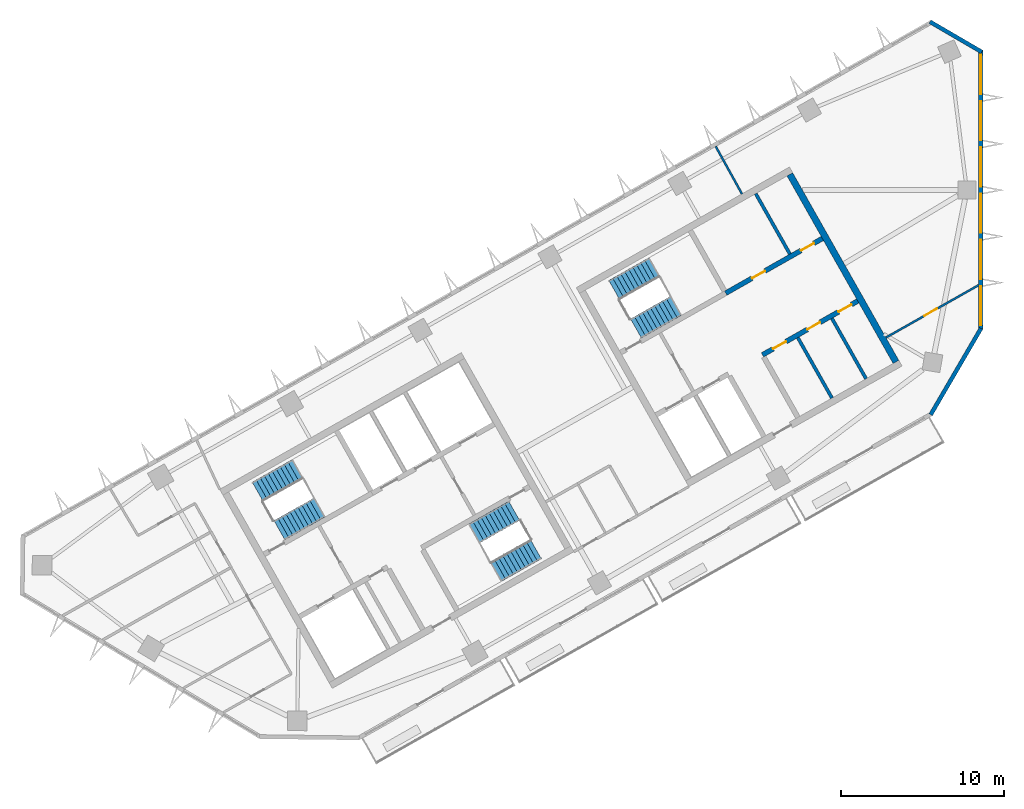
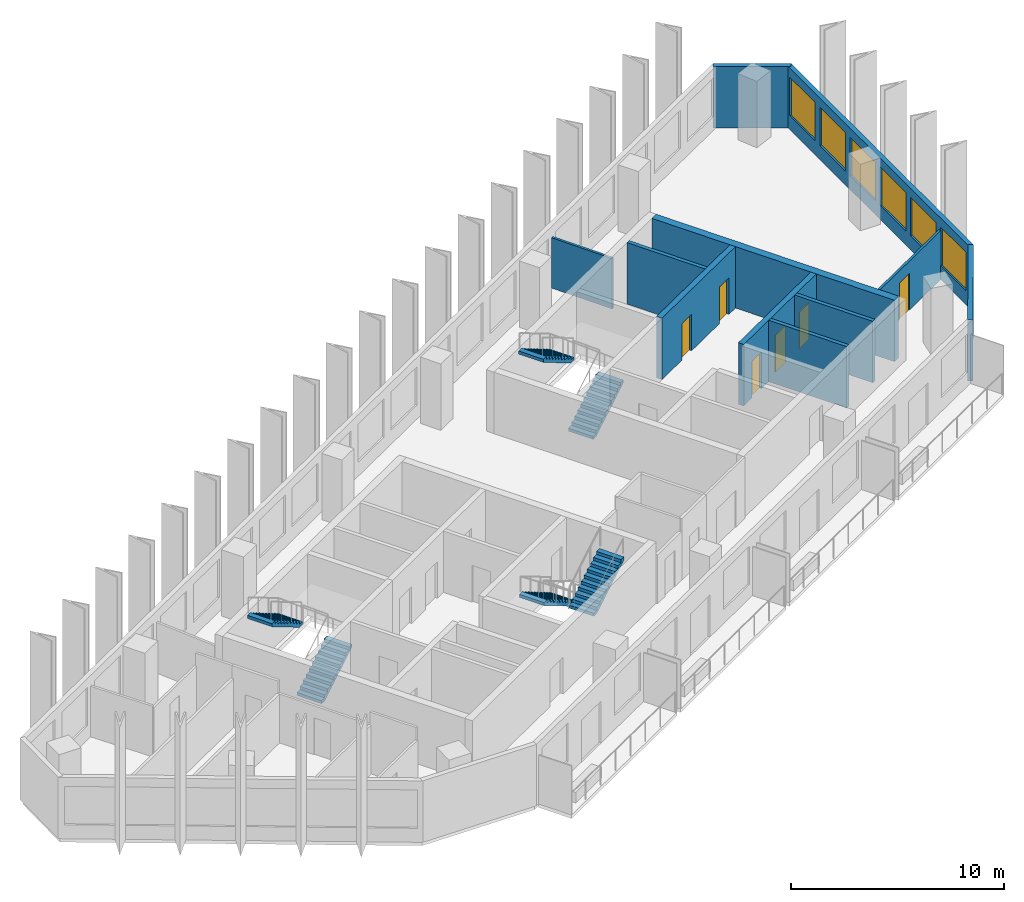
# One storey, part 5 of 8: 11 walls, 6 doors, 6 stair flights, 6 windows, 12 openings, 3 elements without a shape of their own.
"""IFC4 building model written with IfcOpenShell, lengths in metres."""

from ifc_helpers import new_model, si_unit, direction, frame, frame_2d, origin, place, context, subcontext, project, spatial, polyline, rectangle, outline, extrude, material, layer, layer_set, type_object, element, fill, aggregate, save


model = new_model("IFC4")

# Units and contexts
model_context = context("Model", 3, precision=1e-05, world=origin(), true_north=direction((0.0, 1.0)))
body_context = subcontext(model_context, "Body", "Model", "MODEL_VIEW")
ifc_project = project(units=[si_unit("LENGTHUNIT", "METRE"), si_unit("AREAUNIT", "SQUARE_METRE"), si_unit("VOLUMEUNIT", "CUBIC_METRE"), si_unit("PLANEANGLEUNIT", "RADIAN"), si_unit("MASSUNIT", "GRAM", prefix="KILO")], contexts=[model_context])

# Site, building, storey
site_placement = place(None, origin())
site = spatial("IfcSite", under=ifc_project, at=site_placement, CompositionType="ELEMENT")
building_placement = place(site_placement, origin())
building = spatial("IfcBuilding", under=site, at=building_placement, Name="Binnacle Exchange Tower", CompositionType="ELEMENT")
storey_placement = place(building_placement, frame((0.0, 0.0, 293.10009765625)))
storey = spatial("IfcBuildingStorey", under=building, at=storey_placement, Name="L65", CompositionType="ELEMENT", Elevation=293.10009765625)

# Walls
ifc_material_1 = material(Name="Gypsum partition fire rated")
ifc_layer_1 = layer(ifc_material_1, 0.199951171875)
ifc_layer_set_1 = layer_set([ifc_layer_1], Name="Core partition 200")
wall_type_1 = type_object("IfcWallType", Name="Core partition 200", PredefinedType="PARTITIONING", material=ifc_layer_set_1)
wall_1_placement = place(storey_placement, frame((-11.201904296875, 50.96240234375, 0.0), z_axis=(0.0, 0.0, 1.0), x_axis=(0.492441437811, -0.870345580977, 0.0)))
element("IfcWall", 1, at=wall_1_placement, inside=storey, type_object=wall_type_1, Name="Core wall CRWC19", PredefinedType="PARTITIONING", context=body_context, shape_type="SweptSolid", body=[
    extrude(rectangle(XDim=4.250244140625, YDim=0.199951171875, at=frame_2d((2.125, 0.0))), origin(), (0.0, 0.0, 1.0), 3.52001953125),
])
for number, where, z_axis, x_axis, name in (
    (2, (-13.78125, 59.785888671875, 0.0), (0.0, 0.0, 1.0), (0.492422543467, -0.870356271124, 0.0), "Core wall CRWC20"),
    (3, (-9.11279296875, 52.14404296875, 0.0), (0.0, 0.0, 1.0), (0.492422543467, -0.870356271124, 0.0), "Core wall CRWC22"),
):
    element("IfcWall", number, at=place(storey_placement, frame(where, z_axis=z_axis, x_axis=x_axis)), inside=storey, type_object=wall_type_1, Name=name, PredefinedType="PARTITIONING", context=body_context, shape_type="SweptSolid", body=[
        extrude(rectangle(XDim=4.25, YDim=0.199951171875, at=frame_2d((2.125, 0.0))), origin(), (0.0, 0.0, 1.0), 3.52001953125),
    ])

# Wall, openings, doors
ifc_material_2 = material(Name="Concrete C70/85", Category="concrete")
ifc_layer_2 = layer(ifc_material_2, 0.300048828125)
ifc_layer_set_2 = layer_set([ifc_layer_2], Name="Core wall - front 300")
wall_type_2 = type_object("IfcWallType", Name="Core wall - front 300", PredefinedType="SOLIDWALL", material=ifc_layer_set_2)
wall_2_placement = place(storey_placement, frame((-13.364501953125, 49.910888671875, 0.0), z_axis=(0.0, 0.0, 1.0), x_axis=(0.870347618718, 0.492437836272, 0.0)))
wall_2 = element("IfcWall", 4, at=wall_2_placement, inside=storey, type_object=wall_type_2, Name="Core wall CRWC3", PredefinedType="SOLIDWALL", context=body_context, shape_type="SweptSolid", body=[
    extrude(rectangle(XDim=6.699951171875, YDim=0.300048828125, at=frame_2d((3.35009765625, 0.0))), origin(), (0.0, 0.0, 1.0), 3.52001953125),
])
opening_1_placement = place(wall_2_placement, frame((0.75, 0.0, 0.0)))
opening_1 = element("IfcOpeningElement", 5, at=opening_1_placement, cuts=wall_2, Name="Opening DC18", PredefinedType="OPENING", context=body_context, shape_type="SweptSolid", body=[
    extrude(rectangle(XDim=0.89990234375, YDim=2.10009765625, at=frame_2d((0.449951171875, 1.050048828125))), frame((0.0, 0.159912109375, 0.0), z_axis=(0.0, -1.0, 0.0), x_axis=(1.0, 0.0, 0.0)), (0.0, 0.0, 1.0), 0.320068359375),
])
opening_2_placement = place(wall_2_placement, frame((3.14990234375, 0.0, 0.0)))
opening_2 = element("IfcOpeningElement", 6, at=opening_2_placement, cuts=wall_2, Name="Opening DC19", PredefinedType="OPENING", context=body_context, shape_type="SweptSolid", body=[
    extrude(rectangle(XDim=0.89990234375, YDim=2.10009765625, at=frame_2d((0.449951171875, 1.050048828125))), frame((0.0, 0.159912109375, 0.0), z_axis=(0.0, -1.0, 0.0), x_axis=(1.0, 0.0, 0.0)), (0.0, 0.0, 1.0), 0.320068359375),
])
opening_3_placement = place(wall_2_placement, frame((5.35009765625, 0.0, 0.0)))
opening_3 = element("IfcOpeningElement", 7, at=opening_3_placement, cuts=wall_2, Name="Opening DC20", PredefinedType="OPENING", context=body_context, shape_type="SweptSolid", body=[
    extrude(rectangle(XDim=0.89990234375, YDim=2.10009765625, at=frame_2d((0.449951171875, 1.050048828125))), frame((0.0, 0.159912109375, 0.0), z_axis=(0.0, -1.0, 0.0), x_axis=(1.0, 0.0, 0.0)), (0.0, 0.0, 1.0), 0.320068359375),
])
ifc_material_3 = material(Name="Steel door leaf", Category="steel")
door_type_1 = type_object("IfcDoorType", Name="Fire door 900", OperationType="NOTDEFINED", PredefinedType="DOOR", material=ifc_material_3)
door_1_placement = place(opening_1_placement, frame((0.89990234375, 0.0, 0.0), z_axis=(0.0, 0.0, 1.0), x_axis=(-1.0, 0.0, 0.0)))
door_1 = element("IfcDoor", 8, at=door_1_placement, inside=storey, type_object=door_type_1, Name="Core room door COMMS RISER ROOM", OperationType="SINGLE_SWING_RIGHT", OverallHeight=2.10009765625, OverallWidth=0.89990234375, PredefinedType="DOOR", context=body_context, shape_type="SweptSolid", body=[
    extrude(rectangle(XDim=0.89990234375, YDim=2.10009765625, at=frame_2d((0.449951171875, 1.050048828125))), frame((0.0, 0.02490234375, 0.0), z_axis=(0.0, -1.0, 0.0), x_axis=(1.0, 0.0, 0.0)), (0.0, 0.0, 1.0), 0.050048828125),
])
fill(opening_1, door_1)
door_2_placement = place(opening_2_placement, frame((0.89990234375, 0.0, 0.0), z_axis=(0.0, 0.0, 1.0), x_axis=(-1.0, 0.0, 0.0)))
door_2 = element("IfcDoor", 9, at=door_2_placement, inside=storey, type_object=door_type_1, Name="Core room door CLEANERS STORE", OperationType="SINGLE_SWING_LEFT", OverallHeight=2.10009765625, OverallWidth=0.89990234375, PredefinedType="DOOR", context=body_context, shape_type="SweptSolid", body=[
    extrude(rectangle(XDim=0.89990234375, YDim=2.10009765625, at=frame_2d((0.449951171875, 1.050048828125))), frame((0.0, 0.02490234375, 0.0), z_axis=(0.0, -1.0, 0.0), x_axis=(1.0, 0.0, 0.0)), (0.0, 0.0, 1.0), 0.050048828125),
])
fill(opening_2, door_2)
door_3_placement = place(opening_3_placement, frame((0.89990234375, 0.0, 0.0), z_axis=(0.0, 0.0, 1.0), x_axis=(-1.0, 0.0, 0.0)))
door_3 = element("IfcDoor", 10, at=door_3_placement, inside=storey, type_object=door_type_1, Name="Core room door IT STORE", OperationType="SINGLE_SWING_LEFT", OverallHeight=2.10009765625, OverallWidth=0.89990234375, PredefinedType="DOOR", context=body_context, shape_type="SweptSolid", body=[
    extrude(rectangle(XDim=0.89990234375, YDim=2.10009765625, at=frame_2d((0.449951171875, 1.050048828125))), frame((0.0, 0.02490234375, 0.0), z_axis=(0.0, -1.0, 0.0), x_axis=(1.0, 0.0, 0.0)), (0.0, 0.0, 1.0), 0.050048828125),
])
fill(opening_3, door_3)

wall_3_placement = place(storey_placement, frame((-15.6181640625, 53.69140625, 0.0), z_axis=(0.0, 0.0, 1.0), x_axis=(0.870362830851, 0.492410948978, 0.0)))
wall_3 = element("IfcWall", 11, at=wall_3_placement, inside=storey, type_object=wall_type_2, Name="Core wall CRWC5", PredefinedType="SOLIDWALL", context=body_context, shape_type="SweptSolid", body=[
    extrude(rectangle(XDim=6.800048828125, YDim=0.300048828125, at=frame_2d((3.39990234375, 0.0))), origin(), (0.0, 0.0, 1.0), 3.52001953125),
])
opening_4_placement = place(wall_3_placement, frame((1.85009765625, 0.0, 0.0)))
opening_4 = element("IfcOpeningElement", 12, at=opening_4_placement, cuts=wall_3, Name="Opening DC10", PredefinedType="OPENING", context=body_context, shape_type="SweptSolid", body=[
    extrude(rectangle(XDim=0.89990234375, YDim=2.10009765625, at=frame_2d((0.449951171875, 1.050048828125))), frame((0.0, 0.159912109375, 0.0), z_axis=(0.0, -1.0, 0.0), x_axis=(1.0, 0.0, 0.0)), (0.0, 0.0, 1.0), 0.320068359375),
])
opening_5_placement = place(wall_3_placement, frame((5.300048828125, 0.0, 0.0)))
opening_5 = element("IfcOpeningElement", 13, at=opening_5_placement, cuts=wall_3, Name="Opening DC11", PredefinedType="OPENING", context=body_context, shape_type="SweptSolid", body=[
    extrude(rectangle(XDim=0.89990234375, YDim=2.10009765625, at=frame_2d((0.449951171875, 1.050048828125))), frame((0.0, 0.159912109375, 0.0), z_axis=(0.0, -1.0, 0.0), x_axis=(1.0, 0.0, 0.0)), (0.0, 0.0, 1.0), 0.320068359375),
])
door_4_placement = place(opening_4_placement, origin())
door_4 = element("IfcDoor", 14, at=door_4_placement, inside=storey, type_object=door_type_1, Name="Core room door EQUIPMENT STORE", OperationType="SINGLE_SWING_LEFT", OverallHeight=2.10009765625, OverallWidth=0.89990234375, PredefinedType="DOOR", context=body_context, shape_type="SweptSolid", body=[
    extrude(rectangle(XDim=0.89990234375, YDim=2.10009765625, at=frame_2d((0.449951171875, 1.050048828125))), frame((0.0, 0.02490234375, 0.0), z_axis=(0.0, -1.0, 0.0), x_axis=(1.0, 0.0, 0.0)), (0.0, 0.0, 1.0), 0.050048828125),
])
fill(opening_4, door_4)
door_5_placement = place(opening_5_placement, origin())
door_5 = element("IfcDoor", 15, at=door_5_placement, inside=storey, type_object=door_type_1, Name="Core room door ELECTRICAL ROOM", OperationType="SINGLE_SWING_RIGHT", OverallHeight=2.10009765625, OverallWidth=0.89990234375, PredefinedType="DOOR", context=body_context, shape_type="SweptSolid", body=[
    extrude(rectangle(XDim=0.89990234375, YDim=2.10009765625, at=frame_2d((0.449951171875, 1.050048828125))), frame((0.0, 0.02490234375, 0.0), z_axis=(0.0, -1.0, 0.0), x_axis=(1.0, 0.0, 0.0)), (0.0, 0.0, 1.0), 0.050048828125),
])
fill(opening_5, door_5)

# Walls
ifc_layer_3 = layer(ifc_material_2, 0.39990234375)
ifc_layer_set_3 = layer_set([ifc_layer_3], Name="Core wall - outer 400")
wall_type_3 = type_object("IfcWallType", Name="Core wall - outer 400", PredefinedType="SOLIDWALL", material=ifc_layer_set_3)
wall_4_placement = place(storey_placement, frame((-11.6923828125, 60.968017578125, 0.0), z_axis=(0.0, 0.0, 1.0), x_axis=(0.492421663121, -0.870356769198, 0.0)))
element("IfcWall", 16, at=wall_4_placement, inside=storey, type_object=wall_type_3, Name="Core wall CRWC24", PredefinedType="SOLIDWALL", context=body_context, shape_type="SweptSolid", body=[
    extrude(rectangle(XDim=13.199951171875, YDim=0.39990234375, at=frame_2d((6.60009765625, 0.0))), origin(), (0.0, 0.0, 1.0), 3.52001953125),
])
ifc_material_4 = material(Name="Bronze aluminium cladding", Category="aluminium")
ifc_layer_4 = layer(ifc_material_4, 0.25)
ifc_layer_set_4 = layer_set([ifc_layer_4], Name="External wall - window wall 250")
wall_type_4 = type_object("IfcWallType", Name="External wall - window wall 250", PredefinedType="STANDARD", material=ifc_layer_set_4)
wall_5_placement = place(storey_placement, frame((0.01708984375, 51.529296875, 0.0), z_axis=(0.0, 0.0, 1.0), x_axis=(-0.503769237131, -0.863838269424, 0.0)))
element("IfcWall", 17, at=wall_5_placement, inside=storey, type_object=wall_type_4, Name="External wall EW-H00 L65", PredefinedType="STANDARD", context=body_context, shape_type="SweptSolid", body=[
    extrude(rectangle(XDim=6.114501953125, YDim=0.25, at=frame_2d((3.05712890625, 0.0))), origin(), (0.0, 0.0, 1.0), 3.52001953125),
])

# Wall, openings, windows
wall_6_placement = place(storey_placement, frame((0.0, 68.57177734375, 0.0), z_axis=(0.0, 0.0, 1.0), x_axis=(0.0, -1.0, 0.0)))
wall_6 = element("IfcWall", 18, at=wall_6_placement, inside=storey, type_object=wall_type_4, Name="External wall EW-H01 L65", PredefinedType="STANDARD", context=body_context, shape_type="SweptSolid", body=[
    extrude(rectangle(XDim=17.10546875, YDim=0.25, at=frame_2d((8.552734375, 0.0))), origin(), (0.0, 0.0, 1.0), 3.52001953125),
])
opening_6_placement = place(wall_6_placement, frame((14.455078125, 0.0, 0.800048828125)))
opening_6 = element("IfcOpeningElement", 19, at=opening_6_placement, cuts=wall_6, Name="Opening WR2", PredefinedType="OPENING", context=body_context, shape_type="SweptSolid", body=[
    extrude(rectangle(XDim=2.39990234375, YDim=2.199951171875, at=frame_2d((1.199951171875, 1.10009765625))), frame((0.0, 0.135009765625, 0.0), z_axis=(0.0, -1.0, 0.0), x_axis=(1.0, 0.0, 0.0)), (0.0, 0.0, 1.0), 0.27001953125),
])
opening_7_placement = place(wall_6_placement, frame((11.621826171875, 0.0, 0.800048828125)))
opening_7 = element("IfcOpeningElement", 20, at=opening_7_placement, cuts=wall_6, Name="Opening WR2", PredefinedType="OPENING", context=body_context, shape_type="SweptSolid", body=[
    extrude(rectangle(XDim=2.39990234375, YDim=2.199951171875, at=frame_2d((1.199951171875, 1.10009765625))), frame((0.0, 0.135009765625, 0.0), z_axis=(0.0, -1.0, 0.0), x_axis=(1.0, 0.0, 0.0)), (0.0, 0.0, 1.0), 0.27001953125),
])
opening_8_placement = place(wall_6_placement, frame((8.78857421875, 0.0, 0.800048828125)))
opening_8 = element("IfcOpeningElement", 21, at=opening_8_placement, cuts=wall_6, Name="Opening WR2", PredefinedType="OPENING", context=body_context, shape_type="SweptSolid", body=[
    extrude(rectangle(XDim=2.39990234375, YDim=2.199951171875, at=frame_2d((1.199951171875, 1.10009765625))), frame((0.0, 0.135009765625, 0.0), z_axis=(0.0, -1.0, 0.0), x_axis=(1.0, 0.0, 0.0)), (0.0, 0.0, 1.0), 0.27001953125),
])
opening_9_placement = place(wall_6_placement, frame((5.955078125, 0.0, 0.800048828125)))
opening_9 = element("IfcOpeningElement", 22, at=opening_9_placement, cuts=wall_6, Name="Opening WR2", PredefinedType="OPENING", context=body_context, shape_type="SweptSolid", body=[
    extrude(rectangle(XDim=2.39990234375, YDim=2.199951171875, at=frame_2d((1.199951171875, 1.10009765625))), frame((0.0, 0.135009765625, 0.0), z_axis=(0.0, -1.0, 0.0), x_axis=(1.0, 0.0, 0.0)), (0.0, 0.0, 1.0), 0.27001953125),
])
opening_10_placement = place(wall_6_placement, frame((3.121826171875, 0.0, 0.800048828125)))
opening_10 = element("IfcOpeningElement", 23, at=opening_10_placement, cuts=wall_6, Name="Opening WR2", PredefinedType="OPENING", context=body_context, shape_type="SweptSolid", body=[
    extrude(rectangle(XDim=2.39990234375, YDim=2.199951171875, at=frame_2d((1.199951171875, 1.10009765625))), frame((0.0, 0.135009765625, 0.0), z_axis=(0.0, -1.0, 0.0), x_axis=(1.0, 0.0, 0.0)), (0.0, 0.0, 1.0), 0.27001953125),
])
opening_11_placement = place(wall_6_placement, frame((0.28857421875, 0.0, 0.800048828125)))
opening_11 = element("IfcOpeningElement", 24, at=opening_11_placement, cuts=wall_6, Name="Opening WR2", PredefinedType="OPENING", context=body_context, shape_type="SweptSolid", body=[
    extrude(rectangle(XDim=2.39990234375, YDim=2.199951171875, at=frame_2d((1.199951171875, 1.10009765625))), frame((0.0, 0.135009765625, 0.0), z_axis=(0.0, -1.0, 0.0), x_axis=(1.0, 0.0, 0.0)), (0.0, 0.0, 1.0), 0.27001953125),
])
ifc_material_5 = material(Name="Bronze anodised aluminium frame", Category="aluminium")
window_type = type_object("IfcWindowType", Name="WR2 WINDOW 2400x2200", PartitioningType="SINGLE_PANEL", PredefinedType="WINDOW", material=ifc_material_5)
window_1_placement = place(opening_6_placement, origin())
window_1 = element("IfcWindow", 25, at=window_1_placement, inside=storey, type_object=window_type, Name="Window WR2 L65", OverallHeight=2.199951171875, OverallWidth=2.39990234375, PartitioningType="SINGLE_PANEL", PredefinedType="WINDOW", context=body_context, shape_type="SweptSolid", body=[
    extrude(rectangle(XDim=2.39990234375, YDim=2.199951171875, at=frame_2d((1.199951171875, 1.10009765625))), frame((0.0, 0.030029296875, 0.0), z_axis=(0.0, -1.0, 0.0), x_axis=(1.0, 0.0, 0.0)), (0.0, 0.0, 1.0), 0.06005859375),
])
fill(opening_6, window_1)
window_2_placement = place(opening_7_placement, origin())
window_2 = element("IfcWindow", 26, at=window_2_placement, inside=storey, type_object=window_type, Name="Window WR2 L65", OverallHeight=2.199951171875, OverallWidth=2.39990234375, PartitioningType="SINGLE_PANEL", PredefinedType="WINDOW", context=body_context, shape_type="SweptSolid", body=[
    extrude(rectangle(XDim=2.39990234375, YDim=2.199951171875, at=frame_2d((1.199951171875, 1.10009765625))), frame((0.0, 0.030029296875, 0.0), z_axis=(0.0, -1.0, 0.0), x_axis=(1.0, 0.0, 0.0)), (0.0, 0.0, 1.0), 0.06005859375),
])
fill(opening_7, window_2)
window_3_placement = place(opening_8_placement, origin())
window_3 = element("IfcWindow", 27, at=window_3_placement, inside=storey, type_object=window_type, Name="Window WR2 L65", OverallHeight=2.199951171875, OverallWidth=2.39990234375, PartitioningType="SINGLE_PANEL", PredefinedType="WINDOW", context=body_context, shape_type="SweptSolid", body=[
    extrude(rectangle(XDim=2.39990234375, YDim=2.199951171875, at=frame_2d((1.199951171875, 1.10009765625))), frame((0.0, 0.030029296875, 0.0), z_axis=(0.0, -1.0, 0.0), x_axis=(1.0, 0.0, 0.0)), (0.0, 0.0, 1.0), 0.06005859375),
])
fill(opening_8, window_3)
window_4_placement = place(opening_9_placement, origin())
window_4 = element("IfcWindow", 28, at=window_4_placement, inside=storey, type_object=window_type, Name="Window WR2 L65", OverallHeight=2.199951171875, OverallWidth=2.39990234375, PartitioningType="SINGLE_PANEL", PredefinedType="WINDOW", context=body_context, shape_type="SweptSolid", body=[
    extrude(rectangle(XDim=2.39990234375, YDim=2.199951171875, at=frame_2d((1.199951171875, 1.10009765625))), frame((0.0, 0.030029296875, 0.0), z_axis=(0.0, -1.0, 0.0), x_axis=(1.0, 0.0, 0.0)), (0.0, 0.0, 1.0), 0.06005859375),
])
fill(opening_9, window_4)
window_5_placement = place(opening_10_placement, origin())
window_5 = element("IfcWindow", 29, at=window_5_placement, inside=storey, type_object=window_type, Name="Window WR2 L65", OverallHeight=2.199951171875, OverallWidth=2.39990234375, PartitioningType="SINGLE_PANEL", PredefinedType="WINDOW", context=body_context, shape_type="SweptSolid", body=[
    extrude(rectangle(XDim=2.39990234375, YDim=2.199951171875, at=frame_2d((1.199951171875, 1.10009765625))), frame((0.0, 0.030029296875, 0.0), z_axis=(0.0, -1.0, 0.0), x_axis=(1.0, 0.0, 0.0)), (0.0, 0.0, 1.0), 0.06005859375),
])
fill(opening_10, window_5)
window_6_placement = place(opening_11_placement, origin())
window_6 = element("IfcWindow", 30, at=window_6_placement, inside=storey, type_object=window_type, Name="Window WR2 L65", OverallHeight=2.199951171875, OverallWidth=2.39990234375, PartitioningType="SINGLE_PANEL", PredefinedType="WINDOW", context=body_context, shape_type="SweptSolid", body=[
    extrude(rectangle(XDim=2.39990234375, YDim=2.199951171875, at=frame_2d((1.199951171875, 1.10009765625))), frame((0.0, 0.030029296875, 0.0), z_axis=(0.0, -1.0, 0.0), x_axis=(1.0, 0.0, 0.0)), (0.0, 0.0, 1.0), 0.06005859375),
])
fill(opening_11, window_6)

# Walls
wall_7_placement = place(storey_placement, frame((-3.108154296875, 70.312744140625, 0.0), z_axis=(0.0, 0.0, 1.0), x_axis=(0.86382474085, -0.503792434536, 0.0)))
element("IfcWall", 31, at=wall_7_placement, inside=storey, type_object=wall_type_4, Name="External wall EW-H02 L65", PredefinedType="STANDARD", context=body_context, shape_type="SweptSolid", body=[
    extrude(rectangle(XDim=3.669921875, YDim=0.25, at=frame_2d((1.8349609375, 0.0))), origin(), (0.0, 0.0, 1.0), 3.52001953125),
])
ifc_material_6 = material(Name="Gypsum partition")
ifc_layer_5 = layer(ifc_material_6, 0.125)
ifc_layer_set_5 = layer_set([ifc_layer_5], Name="Partition 125")
wall_type_5 = type_object("IfcWallType", Name="Partition 125", PredefinedType="PARTITIONING", material=ifc_layer_set_5)
wall_8_placement = place(storey_placement, frame((-16.22900390625, 62.675048828125, 0.0), z_axis=(0.0, 0.0, 1.0), x_axis=(0.483687594014, -0.875240716259, 0.0)))
element("IfcWall", 32, at=wall_8_placement, inside=storey, type_object=wall_type_5, Name="Partition W19", PredefinedType="PARTITIONING", context=body_context, shape_type="SweptSolid", body=[
    extrude(rectangle(XDim=3.3203125, YDim=0.125, at=frame_2d((1.66015625, 0.0))), origin(), (0.0, 0.0, 1.0), 2.887939453125),
])

# Wall, opening, door
wall_9_placement = place(storey_placement, frame((-5.805908203125, 50.969970703125, 0.0), z_axis=(0.0, 0.0, 1.0), x_axis=(0.870355163327, 0.492424501492, 0.0)))
wall_9 = element("IfcWall", 33, at=wall_9_placement, inside=storey, type_object=wall_type_5, Name="Partition W20", PredefinedType="PARTITIONING", context=body_context, shape_type="SweptSolid", body=[
    extrude(rectangle(XDim=6.527099609375, YDim=0.125, at=frame_2d((3.263671875, 0.0))), origin(), (0.0, 0.0, 1.0), 2.7998046875),
])
opening_12_placement = place(wall_9_placement, frame((2.699951171875, 0.0, 0.0)))
opening_12 = element("IfcOpeningElement", 34, at=opening_12_placement, cuts=wall_9, Name="Opening DL65-08", PredefinedType="OPENING", context=body_context, shape_type="SweptSolid", body=[
    extrude(rectangle(XDim=0.89990234375, YDim=2.10009765625, at=frame_2d((0.449951171875, 1.050048828125))), frame((0.0, 0.072509765625, 0.0), z_axis=(0.0, -1.0, 0.0), x_axis=(1.0, 0.0, 0.0)), (0.0, 0.0, 1.0), 0.14501953125),
])
ifc_material_7 = material(Name="Timber door leaf", Category="wood")
door_type_2 = type_object("IfcDoorType", Name="Door 900", OperationType="NOTDEFINED", PredefinedType="DOOR", material=ifc_material_7)
door_6_placement = place(opening_12_placement, origin())
door_6 = element("IfcDoor", 35, at=door_6_placement, inside=storey, type_object=door_type_2, Name="Door DL65-08", OperationType="SINGLE_SWING_LEFT", OverallHeight=2.10009765625, OverallWidth=0.89990234375, PredefinedType="DOOR", context=body_context, shape_type="SweptSolid", body=[
    extrude(rectangle(XDim=0.89990234375, YDim=2.10009765625, at=frame_2d((0.449951171875, 1.050048828125))), frame((0.0, 0.02490234375, 0.0), z_axis=(0.0, -1.0, 0.0), x_axis=(1.0, 0.0, 0.0)), (0.0, 0.0, 1.0), 0.050048828125),
])
fill(opening_12, door_6)

# Stair, stair flights
ifc_material_8 = material(Name="Concrete C35/45", Category="concrete")
stair_type = type_object("IfcStairType", Name="STAIR 22 RISERS 173", PredefinedType="HALF_TURN_STAIR", material=ifc_material_8)
stair_1_placement = place(storey_placement, origin())
stair_1 = element("IfcStair", 36, at=stair_1_placement, inside=storey, type_object=stair_type, Name="L65 Escape stair A1", PredefinedType="HALF_TURN_STAIR")
stair_flight_type = type_object("IfcStairFlightType", Name="STAIR FLIGHT 173X280", PredefinedType="STRAIGHT", material=ifc_material_8)
stair_flight_1_placement = place(storey_placement, frame((-42.9541015625, 39.17333984375, 0.0), z_axis=(0.0, 0.0, 1.0), x_axis=(0.870355584213, 0.492423757581, 0.0)))
stair_flight_1 = element("IfcStairFlight", 37, at=stair_flight_1_placement, type_object=stair_flight_type, Name="STA1 flight 1", NumberOfRisers=11, NumberOfTreads=10, PredefinedType="STRAIGHT", RiserHeight=0.172727273, TreadLength=0.28, context=body_context, shape_type="SweptSolid", body=[
    extrude(outline(polyline([(0.0, 0.0), (0.0, 0.172607421875), (0.280029296875, 0.172607421875), (0.280029296875, 0.345458984375), (0.56005859375, 0.345458984375), (0.56005859375, 0.51806640625), (0.840087890625, 0.51806640625), (0.840087890625, 0.69091796875), (1.1201171875, 0.69091796875), (1.1201171875, 0.863525390625), (1.39990234375, 0.863525390625), (1.39990234375, 1.036376953125), (1.679931640625, 1.036376953125), (1.679931640625, 1.208984375), (1.9599609375, 1.208984375), (1.9599609375, 1.3818359375), (2.239990234375, 1.3818359375), (2.239990234375, 1.554443359375), (2.52001953125, 1.554443359375), (2.52001953125, 1.727294921875), (2.800048828125, 1.727294921875), (2.800048828125, 1.89990234375), (2.800048828125, 1.551025390625), (0.285400390625, 0.0), (0.0, 0.0)])), frame((0.0, 0.675048828125, 0.0), z_axis=(0.0, -1.0, 0.0), x_axis=(1.0, 0.0, 0.0)), (0.0, 0.0, 1.0), 1.35009765625),
])
stair_flight_2_placement = place(storey_placement, frame((-41.846435546875, 42.902099609375, 1.89990234375), z_axis=(0.0, 0.0, 1.0), x_axis=(-0.870355584213, -0.492423757581, 0.0)))
stair_flight_2 = element("IfcStairFlight", 38, at=stair_flight_2_placement, type_object=stair_flight_type, Name="STA1 flight 2", NumberOfRisers=11, NumberOfTreads=10, PredefinedType="STRAIGHT", RiserHeight=0.172727273, TreadLength=0.28, context=body_context, shape_type="SweptSolid", body=[
    extrude(outline(polyline([(0.0, 0.0), (0.0, 0.172607421875), (0.280029296875, 0.172607421875), (0.280029296875, 0.345458984375), (0.56005859375, 0.345458984375), (0.56005859375, 0.51806640625), (0.840087890625, 0.51806640625), (0.840087890625, 0.69091796875), (1.1201171875, 0.69091796875), (1.1201171875, 0.863525390625), (1.39990234375, 0.863525390625), (1.39990234375, 1.036376953125), (1.679931640625, 1.036376953125), (1.679931640625, 1.208984375), (1.9599609375, 1.208984375), (1.9599609375, 1.3818359375), (2.239990234375, 1.3818359375), (2.239990234375, 1.554443359375), (2.52001953125, 1.554443359375), (2.52001953125, 1.727294921875), (2.800048828125, 1.727294921875), (2.800048828125, 1.89990234375), (2.800048828125, 1.551025390625), (0.285400390625, 0.0), (0.0, 0.0)])), frame((0.0, 0.675048828125, 0.0), z_axis=(0.0, -1.0, 0.0), x_axis=(1.0, 0.0, 0.0)), (0.0, 0.0, 1.0), 1.35009765625),
])
aggregate(stair_1, [stair_flight_1, stair_flight_2])

stair_2_placement = place(storey_placement, origin())
stair_2 = element("IfcStair", 39, at=stair_2_placement, inside=storey, type_object=stair_type, Name="L65 Escape stair A2", PredefinedType="HALF_TURN_STAIR")
stair_flight_3_placement = place(storey_placement, frame((-28.5732421875, 40.3583984375, 0.0), z_axis=(0.0, 0.0, 1.0), x_axis=(-0.870355584213, -0.492423757581, 0.0)))
stair_flight_3 = element("IfcStairFlight", 40, at=stair_flight_3_placement, type_object=stair_flight_type, Name="STA2 flight 1", NumberOfRisers=11, NumberOfTreads=10, PredefinedType="STRAIGHT", RiserHeight=0.172727273, TreadLength=0.28, context=body_context, shape_type="SweptSolid", body=[
    extrude(outline(polyline([(0.0, 0.0), (0.0, 0.172607421875), (0.280029296875, 0.172607421875), (0.280029296875, 0.345458984375), (0.56005859375, 0.345458984375), (0.56005859375, 0.51806640625), (0.840087890625, 0.51806640625), (0.840087890625, 0.69091796875), (1.1201171875, 0.69091796875), (1.1201171875, 0.863525390625), (1.39990234375, 0.863525390625), (1.39990234375, 1.036376953125), (1.679931640625, 1.036376953125), (1.679931640625, 1.208984375), (1.9599609375, 1.208984375), (1.9599609375, 1.3818359375), (2.239990234375, 1.3818359375), (2.239990234375, 1.554443359375), (2.52001953125, 1.554443359375), (2.52001953125, 1.727294921875), (2.800048828125, 1.727294921875), (2.800048828125, 1.89990234375), (2.800048828125, 1.551025390625), (0.285400390625, 0.0), (0.0, 0.0)])), frame((0.0, 0.675048828125, 0.0), z_axis=(0.0, -1.0, 0.0), x_axis=(1.0, 0.0, 0.0)), (0.0, 0.0, 1.0), 1.35009765625),
])
stair_flight_4_placement = place(storey_placement, frame((-29.6806640625, 36.629638671875, 1.89990234375), z_axis=(0.0, 0.0, 1.0), x_axis=(0.870355584213, 0.492423757581, 0.0)))
stair_flight_4 = element("IfcStairFlight", 41, at=stair_flight_4_placement, type_object=stair_flight_type, Name="STA2 flight 2", NumberOfRisers=11, NumberOfTreads=10, PredefinedType="STRAIGHT", RiserHeight=0.172727273, TreadLength=0.28, context=body_context, shape_type="SweptSolid", body=[
    extrude(outline(polyline([(0.0, 0.0), (0.0, 0.172607421875), (0.280029296875, 0.172607421875), (0.280029296875, 0.345458984375), (0.56005859375, 0.345458984375), (0.56005859375, 0.51806640625), (0.840087890625, 0.51806640625), (0.840087890625, 0.69091796875), (1.1201171875, 0.69091796875), (1.1201171875, 0.863525390625), (1.39990234375, 0.863525390625), (1.39990234375, 1.036376953125), (1.679931640625, 1.036376953125), (1.679931640625, 1.208984375), (1.9599609375, 1.208984375), (1.9599609375, 1.3818359375), (2.239990234375, 1.3818359375), (2.239990234375, 1.554443359375), (2.52001953125, 1.554443359375), (2.52001953125, 1.727294921875), (2.800048828125, 1.727294921875), (2.800048828125, 1.89990234375), (2.800048828125, 1.551025390625), (0.285400390625, 0.0), (0.0, 0.0)])), frame((0.0, 0.675048828125, 0.0), z_axis=(0.0, -1.0, 0.0), x_axis=(1.0, 0.0, 0.0)), (0.0, 0.0, 1.0), 1.35009765625),
])
aggregate(stair_2, [stair_flight_3, stair_flight_4])

stair_3_placement = place(storey_placement, origin())
stair_3 = element("IfcStair", 42, at=stair_3_placement, inside=storey, type_object=stair_type, Name="L65 Escape stair C1", PredefinedType="HALF_TURN_STAIR")
stair_flight_5_placement = place(storey_placement, frame((-21.115966796875, 51.528564453125, 0.0), z_axis=(0.0, 0.0, 1.0), x_axis=(0.870355584213, 0.492423757581, 0.0)))
stair_flight_5 = element("IfcStairFlight", 43, at=stair_flight_5_placement, type_object=stair_flight_type, Name="STC1 flight 1", NumberOfRisers=11, NumberOfTreads=10, PredefinedType="STRAIGHT", RiserHeight=0.172727273, TreadLength=0.28, context=body_context, shape_type="SweptSolid", body=[
    extrude(outline(polyline([(0.0, 0.0), (0.0, 0.172607421875), (0.280029296875, 0.172607421875), (0.280029296875, 0.345458984375), (0.56005859375, 0.345458984375), (0.56005859375, 0.51806640625), (0.840087890625, 0.51806640625), (0.840087890625, 0.69091796875), (1.1201171875, 0.69091796875), (1.1201171875, 0.863525390625), (1.39990234375, 0.863525390625), (1.39990234375, 1.036376953125), (1.679931640625, 1.036376953125), (1.679931640625, 1.208984375), (1.9599609375, 1.208984375), (1.9599609375, 1.3818359375), (2.239990234375, 1.3818359375), (2.239990234375, 1.554443359375), (2.52001953125, 1.554443359375), (2.52001953125, 1.727294921875), (2.800048828125, 1.727294921875), (2.800048828125, 1.89990234375), (2.800048828125, 1.551025390625), (0.285400390625, 0.0), (0.0, 0.0)])), frame((0.0, 0.675048828125, 0.0), z_axis=(0.0, -1.0, 0.0), x_axis=(1.0, 0.0, 0.0)), (0.0, 0.0, 1.0), 1.35009765625),
])
stair_flight_6_placement = place(storey_placement, frame((-20.008544921875, 55.25732421875, 1.89990234375), z_axis=(0.0, 0.0, 1.0), x_axis=(-0.870355584213, -0.492423757581, 0.0)))
stair_flight_6 = element("IfcStairFlight", 44, at=stair_flight_6_placement, type_object=stair_flight_type, Name="STC1 flight 2", NumberOfRisers=11, NumberOfTreads=10, PredefinedType="STRAIGHT", RiserHeight=0.172727273, TreadLength=0.28, context=body_context, shape_type="SweptSolid", body=[
    extrude(outline(polyline([(0.0, 0.0), (0.0, 0.172607421875), (0.280029296875, 0.172607421875), (0.280029296875, 0.345458984375), (0.56005859375, 0.345458984375), (0.56005859375, 0.51806640625), (0.840087890625, 0.51806640625), (0.840087890625, 0.69091796875), (1.1201171875, 0.69091796875), (1.1201171875, 0.863525390625), (1.39990234375, 0.863525390625), (1.39990234375, 1.036376953125), (1.679931640625, 1.036376953125), (1.679931640625, 1.208984375), (1.9599609375, 1.208984375), (1.9599609375, 1.3818359375), (2.239990234375, 1.3818359375), (2.239990234375, 1.554443359375), (2.52001953125, 1.554443359375), (2.52001953125, 1.727294921875), (2.800048828125, 1.727294921875), (2.800048828125, 1.89990234375), (2.800048828125, 1.551025390625), (0.285400390625, 0.0), (0.0, 0.0)])), frame((0.0, 0.675048828125, 0.0), z_axis=(0.0, -1.0, 0.0), x_axis=(1.0, 0.0, 0.0)), (0.0, 0.0, 1.0), 1.35009765625),
])
aggregate(stair_3, [stair_flight_5, stair_flight_6])

save(model, "model.ifc")
